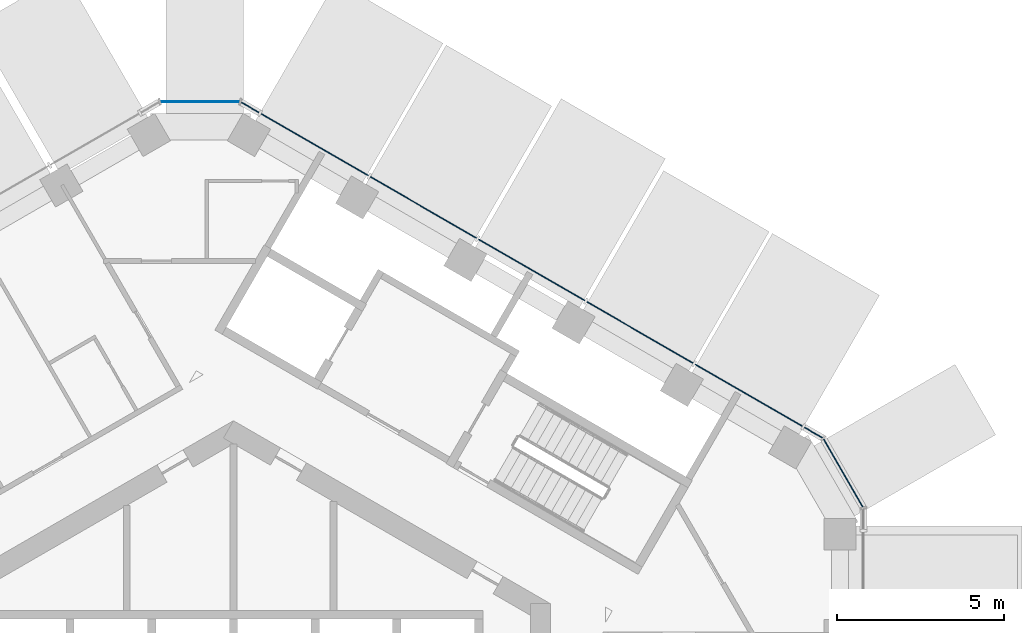
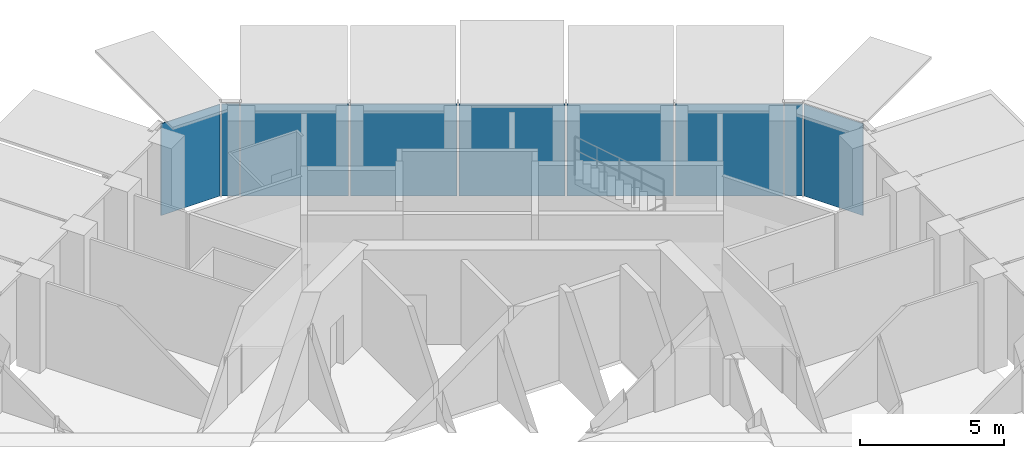
# One storey, part 15 of 24: 9 plates, 3 elements without a shape of their own.
"""IFC4 building model written with IfcOpenShell, lengths in metres."""

from ifc_helpers import new_model, si_unit, direction, frame, origin, origin_2d, place, context, subcontext, project, spatial, rectangle, extrude, material, layer, layer_set, type_object, element, aggregate, save


model = new_model("IFC4")

# Units and contexts
model_context = context("Model", 3, precision=1e-05, world=origin(), true_north=direction((0.0, 1.0)))
body_context = subcontext(model_context, "Body", "Model", "MODEL_VIEW")
ifc_project = project(units=[si_unit("LENGTHUNIT", "METRE"), si_unit("AREAUNIT", "SQUARE_METRE"), si_unit("VOLUMEUNIT", "CUBIC_METRE"), si_unit("PLANEANGLEUNIT", "RADIAN"), si_unit("MASSUNIT", "GRAM", prefix="KILO")], contexts=[model_context])

# Site, building, storey
site_placement = place(None, origin())
site = spatial("IfcSite", under=ifc_project, at=site_placement, CompositionType="ELEMENT")
building_placement = place(site_placement, origin())
building = spatial("IfcBuilding", under=site, at=building_placement, Name="Ayvan Gate Tower", CompositionType="ELEMENT")
storey_placement = place(building_placement, frame((0.0, 0.0, 210.10009765625)))
storey = spatial("IfcBuildingStorey", under=building, at=storey_placement, Name="L56", CompositionType="ELEMENT", Elevation=210.10009765625)

# Curtain wall, plates
ifc_material_1 = material(Name="Bronze anodised aluminium", Category="aluminium")
ifc_layer_1 = layer(ifc_material_1, 0.199951171875)
ifc_layer_set_1 = layer_set([ifc_layer_1], Name="Bronze anodised aluminium")
curtain_wall_type_1 = type_object("IfcCurtainWallType", Name="Stick curtain wall CW-2", PredefinedType="NOTDEFINED", material=ifc_layer_set_1)
curtain_wall_1_placement = place(storey_placement, origin())
curtain_wall_1 = element("IfcCurtainWall", 1, at=curtain_wall_1_placement, inside=storey, type_object=curtain_wall_type_1, Name="Stick curtain wall CW-2 L56", PredefinedType="NOTDEFINED")
ifc_material_2 = material(Name="Clear low-iron laminated glass", Category="glass")
ifc_layer_2 = layer(ifc_material_2, 0.028076171875)
ifc_layer_set_2 = layer_set([ifc_layer_2], Name="Clear low-iron laminated glass")
plate_type_1 = type_object("IfcPlateType", Name="Stick curtain wall CW-2 glass panel", PredefinedType="CURTAIN_PANEL", material=ifc_layer_set_2)
plate_1_placement = place(storey_placement, frame((15.462646484375, 11.723876953125, 0.0), z_axis=(0.0, 0.0, 1.0), x_axis=(-0.866025403784, 0.5, 0.0)))
plate_1 = element("IfcPlate", 2, at=plate_1_placement, type_object=plate_type_1, Name="CW-2 glass panel 1", PredefinedType="CURTAIN_PANEL", context=body_context, shape_type="SweptSolid", body=[
    extrude(rectangle(XDim=3.7490234375, YDim=0.028076171875, at=origin_2d()), origin(), (0.0, 0.0, 1.0), 3.8798828125),
])
plate_2_placement = place(storey_placement, frame((12.18701171875, 13.615234375, 0.0), z_axis=(0.0, 0.0, 1.0), x_axis=(-0.866025403784, 0.5, 0.0)))
plate_2 = element("IfcPlate", 3, at=plate_2_placement, type_object=plate_type_1, Name="CW-2 glass panel 2", PredefinedType="CURTAIN_PANEL", context=body_context, shape_type="SweptSolid", body=[
    extrude(rectangle(XDim=3.676025390625, YDim=0.028076171875, at=origin_2d()), origin(), (0.0, 0.0, 1.0), 3.8798828125),
])
plate_3_placement = place(storey_placement, frame((8.9423828125, 15.488525390625, 0.0), z_axis=(0.0, 0.0, 1.0), x_axis=(-0.866025403784, 0.5, 0.0)))
plate_3 = element("IfcPlate", 4, at=plate_3_placement, type_object=plate_type_1, Name="CW-2 glass panel 3", PredefinedType="CURTAIN_PANEL", context=body_context, shape_type="SweptSolid", body=[
    extrude(rectangle(XDim=3.677001953125, YDim=0.028076171875, at=origin_2d()), origin(), (0.0, 0.0, 1.0), 3.8798828125),
])
plate_4_placement = place(storey_placement, frame((5.697265625, 17.362060546875, 0.0), z_axis=(0.0, 0.0, 1.0), x_axis=(-0.866025403784, 0.5, 0.0)))
plate_4 = element("IfcPlate", 5, at=plate_4_placement, type_object=plate_type_1, Name="CW-2 glass panel 4", PredefinedType="CURTAIN_PANEL", context=body_context, shape_type="SweptSolid", body=[
    extrude(rectangle(XDim=3.677001953125, YDim=0.028076171875, at=origin_2d()), origin(), (0.0, 0.0, 1.0), 3.8798828125),
])
plate_5_placement = place(storey_placement, frame((2.421630859375, 19.253173828125, 0.0), z_axis=(0.0, 0.0, 1.0), x_axis=(-0.866025403784, 0.5, 0.0)))
plate_5 = element("IfcPlate", 6, at=plate_5_placement, type_object=plate_type_1, Name="CW-2 glass panel 5", PredefinedType="CURTAIN_PANEL", context=body_context, shape_type="SweptSolid", body=[
    extrude(rectangle(XDim=3.748046875, YDim=0.028076171875, at=origin_2d()), origin(), (0.0, 0.0, 1.0), 3.8798828125),
])
aggregate(curtain_wall_1, [plate_1, plate_2, plate_3, plate_4, plate_5])

ifc_layer_3 = layer(ifc_material_1, 0.199951171875)
ifc_layer_set_3 = layer_set([ifc_layer_3], Name="Bronze anodised aluminium")
curtain_wall_type_2 = type_object("IfcCurtainWallType", Name="Stick curtain wall CW-6", PredefinedType="NOTDEFINED", material=ifc_layer_set_3)
curtain_wall_2_placement = place(storey_placement, origin())
curtain_wall_2 = element("IfcCurtainWall", 7, at=curtain_wall_2_placement, inside=storey, type_object=curtain_wall_type_2, Name="Stick curtain wall CW-6 L56", PredefinedType="NOTDEFINED")
ifc_layer_4 = layer(ifc_material_2, 0.028076171875)
ifc_layer_set_4 = layer_set([ifc_layer_4], Name="Clear low-iron laminated glass")
plate_type_2 = type_object("IfcPlateType", Name="Stick curtain wall CW-6 glass panel", PredefinedType="CURTAIN_PANEL", material=ifc_layer_set_4)
plate_6_placement = place(storey_placement, frame((18.282958984375, 9.398681640625, 0.0), z_axis=(0.0, 0.0, 1.0), x_axis=(-0.5, 0.866025403784, 0.0)))
plate_6 = element("IfcPlate", 8, at=plate_6_placement, type_object=plate_type_2, Name="CW-6 glass panel 2", PredefinedType="CURTAIN_PANEL", context=body_context, shape_type="SweptSolid", body=[
    extrude(rectangle(XDim=2.364501953125, YDim=0.028076171875, at=origin_2d()), origin(), (0.0, 0.0, 1.0), 3.8798828125),
])
plate_7_placement = place(storey_placement, frame((17.386962890625, 10.613037109375, 0.0), z_axis=(0.0, 0.0, 1.0), x_axis=(-0.866025403784, 0.5, 0.0)))
plate_7 = element("IfcPlate", 9, at=plate_7_placement, type_object=plate_type_2, Name="CW-6 glass panel 3", PredefinedType="CURTAIN_PANEL", context=body_context, shape_type="SweptSolid", body=[
    extrude(rectangle(XDim=0.625, YDim=0.028076171875, at=origin_2d()), origin(), (0.0, 0.0, 1.0), 3.8798828125),
])
aggregate(curtain_wall_2, [plate_6, plate_7])

curtain_wall_3_placement = place(storey_placement, origin())
curtain_wall_3 = element("IfcCurtainWall", 10, at=curtain_wall_3_placement, inside=storey, type_object=curtain_wall_type_2, Name="Stick curtain wall CW-6 L56", PredefinedType="NOTDEFINED")
plate_8_placement = place(storey_placement, frame((0.49755859375, 20.364013671875, 0.0), z_axis=(0.0, 0.0, 1.0), x_axis=(-0.866025403784, 0.5, 0.0)))
plate_8 = element("IfcPlate", 11, at=plate_8_placement, type_object=plate_type_2, Name="CW-6 glass panel 1", PredefinedType="CURTAIN_PANEL", context=body_context, shape_type="SweptSolid", body=[
    extrude(rectangle(XDim=0.625, YDim=0.028076171875, at=origin_2d()), origin(), (0.0, 0.0, 1.0), 3.8798828125),
])
plate_9_placement = place(storey_placement, frame((-1.001953125, 20.53271484375, 0.0), z_axis=(0.0, 0.0, 1.0), x_axis=(-1.0, 0.0, 0.0)))
plate_9 = element("IfcPlate", 12, at=plate_9_placement, type_object=plate_type_2, Name="CW-6 glass panel 2", PredefinedType="CURTAIN_PANEL", context=body_context, shape_type="SweptSolid", body=[
    extrude(rectangle(XDim=2.364501953125, YDim=0.028076171875, at=origin_2d()), origin(), (0.0, 0.0, 1.0), 3.8798828125),
])
aggregate(curtain_wall_3, [plate_8, plate_9])

save(model, "model.ifc")
